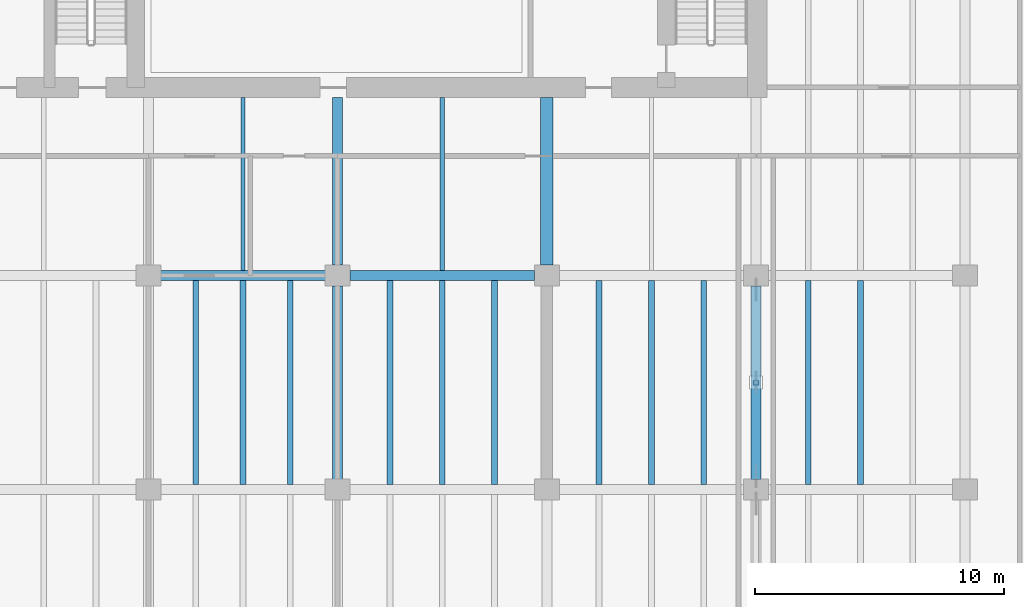
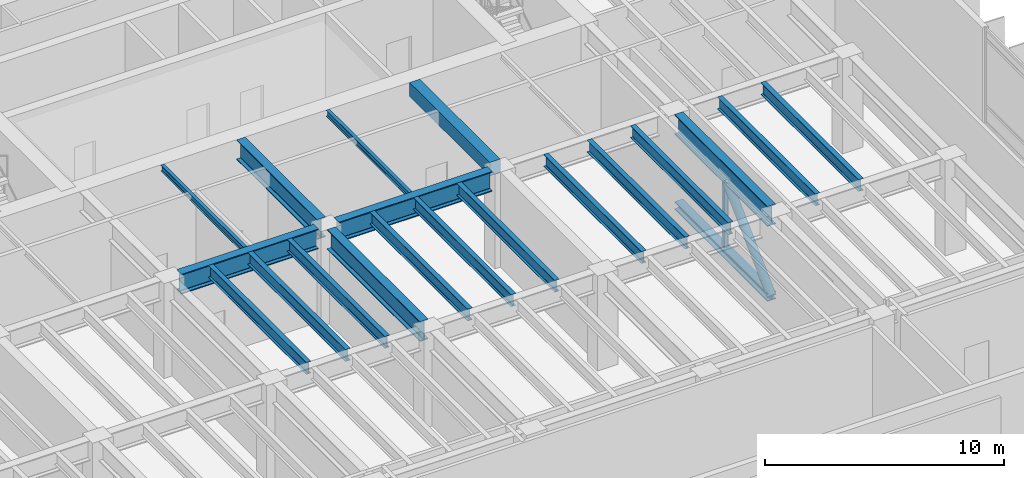
# One storey, part 7 of 18: 20 beams, 2 members.
"""IFC4 building model written with IfcOpenShell, lengths in metres."""

from ifc_helpers import new_model, si_unit, direction, frame, origin, origin_2d, place, context, subcontext, project, spatial, rectangle, hollow_rectangle, hollow_circle, i_section, extrude, material, material_profile, profile_set, type_object, element, save


model = new_model("IFC4")

# Units and contexts
model_context = context("Model", 3, precision=1e-05, world=origin(), true_north=direction((0.0, 1.0)))
body_context = subcontext(model_context, "Body", "Model", "MODEL_VIEW")
ifc_project = project(units=[si_unit("LENGTHUNIT", "METRE"), si_unit("AREAUNIT", "SQUARE_METRE"), si_unit("VOLUMEUNIT", "CUBIC_METRE"), si_unit("PLANEANGLEUNIT", "RADIAN"), si_unit("MASSUNIT", "GRAM", prefix="KILO")], contexts=[model_context])

# Site, building, storey
site_placement = place(None, origin())
site = spatial("IfcSite", under=ifc_project, at=site_placement, CompositionType="ELEMENT")
building_placement = place(site_placement, origin())
building = spatial("IfcBuilding", under=site, at=building_placement, Name="Caelmar Bay Residences", CompositionType="ELEMENT")
storey_placement = place(building_placement, frame((0.0, 0.0, 152.10009765625)))
storey = spatial("IfcBuildingStorey", under=building, at=storey_placement, Name="L42", CompositionType="ELEMENT", Elevation=152.10009765625)

# Beams
ifc_material_1 = material(Name="Steel ASTM A992 Grade 50", Category="steel")
ifc_material_profile_1 = material_profile(ifc_material_1, i_section(OverallWidth=0.40087890625, OverallDepth=0.39892578125, WebThickness=0.02490234375, FlangeThickness=0.03955078125, FilletRadius=0.01513671875, at=origin_2d()), Name="W14X211")
ifc_profile_set_1 = profile_set([ifc_material_profile_1], Name="Steel ASTM A992 Grade 50")
beam_type_1 = type_object("IfcBeamType", Name="BM-CHD-W14X211", PredefinedType="BEAM", material=ifc_profile_set_1)
beam_1_placement = place(storey_placement, frame((59.5, 21.215087890625, 0.199462890625), z_axis=(0.0, 1.0, 0.0), x_axis=(-1.0, 0.0, 0.0)))
element("IfcBeam", 1, at=beam_1_placement, inside=storey, type_object=beam_type_1, Name="L42 Outrigger Bottom Chord 4", PredefinedType="BEAM", context=body_context, shape_type="SweptSolid", body=[
    extrude(i_section(OverallWidth=0.40087890625, OverallDepth=0.39892578125, WebThickness=0.02490234375, FlangeThickness=0.03955078125, FilletRadius=0.01513671875, at=origin_2d()), origin(), (0.0, 0.0, 1.0), 7.77001953125),
])
ifc_material_profile_2 = material_profile(ifc_material_1, i_section(OverallWidth=0.404052734375, OverallDepth=1.02099609375, WebThickness=0.025390625, FlangeThickness=0.0458984375, FilletRadius=0.02294921875, at=origin_2d()), Name="W40X324")
ifc_profile_set_2 = profile_set([ifc_material_profile_2], Name="Steel ASTM A992 Grade 50")
beam_type_2 = type_object("IfcBeamType", Name="BM-GRD-W40X324", PredefinedType="BEAM", material=ifc_profile_set_2)
beam_2_placement = place(storey_placement, frame((35.590087890625, 29.39990234375, 4.33935546875), z_axis=(1.0, 0.0, 0.0), x_axis=(0.0, 1.0, 0.0)))
element("IfcBeam", 2, at=beam_2_placement, inside=storey, type_object=beam_type_2, Name="L42 East-West Girder Y=29.40 (35.1-42.7)", PredefinedType="BEAM", context=body_context, shape_type="SweptSolid", body=[
    extrude(i_section(OverallWidth=0.404052734375, OverallDepth=1.02099609375, WebThickness=0.025390625, FlangeThickness=0.0458984375, FilletRadius=0.02294921875, at=origin_2d()), origin(), (0.0, 0.0, 1.0), 6.619873046875),
])
beam_3_placement = place(storey_placement, frame((43.18994140625, 29.39990234375, 4.33935546875), z_axis=(1.0, 0.0, 0.0), x_axis=(0.0, 1.0, 0.0)))
element("IfcBeam", 3, at=beam_3_placement, inside=storey, type_object=beam_type_2, Name="L42 East-West Girder Y=29.40 (42.7-51.1)", PredefinedType="BEAM", context=body_context, shape_type="SweptSolid", body=[
    extrude(i_section(OverallWidth=0.404052734375, OverallDepth=1.02099609375, WebThickness=0.025390625, FlangeThickness=0.0458984375, FilletRadius=0.02294921875, at=origin_2d()), origin(), (0.0, 0.0, 1.0), 7.420166015625),
])
beam_4_placement = place(storey_placement, frame((42.699951171875, 29.81494140625, 4.33935546875), z_axis=(0.0, 1.0, 0.0), x_axis=(-1.0, 0.0, 0.0)))
element("IfcBeam", 4, at=beam_4_placement, inside=storey, type_object=beam_type_2, Name="L42 Core Tie Girder X=42.70", PredefinedType="BEAM", context=body_context, shape_type="SweptSolid", body=[
    extrude(i_section(OverallWidth=0.404052734375, OverallDepth=1.02099609375, WebThickness=0.025390625, FlangeThickness=0.0458984375, FilletRadius=0.02294921875, at=origin_2d()), origin(), (0.0, 0.0, 1.0), 6.735107421875),
])
for number, where, z_axis, x_axis, name in (
    (5, (42.699951171875, 21.215087890625, 4.33935546875), (0.0, 1.0, 0.0), (-1.0, 0.0, 0.0), "L42 North-South Girder X=42.70 (20.8-29.4)"),
    (6, (59.5, 21.215087890625, 4.33935546875), (0.0, 1.0, 0.0), (-1.0, 0.0, 0.0), "L42 North-South Girder X=59.50 (20.8-29.4)"),
):
    element("IfcBeam", number, at=place(storey_placement, frame(where, z_axis=z_axis, x_axis=x_axis)), inside=storey, type_object=beam_type_2, Name=name, PredefinedType="BEAM", context=body_context, shape_type="SweptSolid", body=[
        extrude(i_section(OverallWidth=0.404052734375, OverallDepth=1.02099609375, WebThickness=0.025390625, FlangeThickness=0.0458984375, FilletRadius=0.02294921875, at=origin_2d()), origin(), (0.0, 0.0, 1.0), 7.77001953125),
    ])
ifc_material_profile_3 = material_profile(ifc_material_1, i_section(OverallWidth=0.1650390625, OverallDepth=0.31005859375, WebThickness=0.005859375, FlangeThickness=0.009765625, FilletRadius=0.007568359375, at=origin_2d()), Name="W12X26")
ifc_profile_set_3 = profile_set([ifc_material_profile_3], Name="Steel ASTM A992 Grade 50")
beam_type_3 = type_object("IfcBeamType", Name="BM-JST-W12X26", PredefinedType="JOIST", material=ifc_profile_set_3)
for number, where, z_axis, x_axis, name in (
    (7, (38.89990234375, 29.60205078125, 4.69482421875), (0.0, 1.0, 0.0), (-1.0, 0.0, 0.0), "L42 Core-Band Composite Joist 45"),
    (8, (46.89990234375, 29.60205078125, 4.69482421875), (0.0, 1.0, 0.0), (-1.0, 0.0, 0.0), "L42 Core-Band Composite Joist 46"),
):
    element("IfcBeam", number, at=place(storey_placement, frame(where, z_axis=z_axis, x_axis=x_axis)), inside=storey, type_object=beam_type_3, Name=name, PredefinedType="JOIST", context=body_context, shape_type="SweptSolid", body=[
        extrude(i_section(OverallWidth=0.1650390625, OverallDepth=0.31005859375, WebThickness=0.005859375, FlangeThickness=0.009765625, FilletRadius=0.007568359375, at=origin_2d()), origin(), (0.0, 0.0, 1.0), 6.947998046875),
    ])
ifc_material_profile_4 = material_profile(ifc_material_1, i_section(OverallWidth=0.22900390625, OverallDepth=0.612060546875, WebThickness=0.011962890625, FlangeThickness=0.01953125, FilletRadius=0.0126953125, at=origin_2d()), Name="W24X84")
ifc_profile_set_4 = profile_set([ifc_material_profile_4], Name="Steel ASTM A992 Grade 50")
beam_type_4 = type_object("IfcBeamType", Name="BM-JST-W24X84", PredefinedType="JOIST", material=ifc_profile_set_4)
for number, where, z_axis, x_axis, name in (
    (9, (37.0, 21.001953125, 4.5439453125), (0.0, 1.0, 0.0), (-1.0, 0.0, 0.0), "L42 Composite Floor Joist 31"),
    (10, (38.89990234375, 21.001953125, 4.5439453125), (0.0, 1.0, 0.0), (-1.0, 0.0, 0.0), "L42 Composite Floor Joist 32"),
    (11, (40.800048828125, 21.001953125, 4.5439453125), (0.0, 1.0, 0.0), (-1.0, 0.0, 0.0), "L42 Composite Floor Joist 33"),
    (12, (44.800048828125, 21.001953125, 4.5439453125), (0.0, 1.0, 0.0), (-1.0, 0.0, 0.0), "L42 Composite Floor Joist 34"),
    (13, (46.89990234375, 21.001953125, 4.5439453125), (0.0, 1.0, 0.0), (-1.0, 0.0, 0.0), "L42 Composite Floor Joist 35"),
    (14, (49.0, 21.001953125, 4.5439453125), (0.0, 1.0, 0.0), (-1.0, 0.0, 0.0), "L42 Composite Floor Joist 36"),
    (15, (53.199951171875, 21.001953125, 4.5439453125), (0.0, 1.0, 0.0), (-1.0, 0.0, 0.0), "L42 Composite Floor Joist 37"),
    (16, (55.300048828125, 21.001953125, 4.5439453125), (0.0, 1.0, 0.0), (-1.0, 0.0, 0.0), "L42 Composite Floor Joist 38"),
    (17, (57.39990234375, 21.001953125, 4.5439453125), (0.0, 1.0, 0.0), (-1.0, 0.0, 0.0), "L42 Composite Floor Joist 39"),
    (18, (61.60009765625, 21.001953125, 4.5439453125), (0.0, 1.0, 0.0), (-1.0, 0.0, 0.0), "L42 Composite Floor Joist 40"),
    (19, (63.699951171875, 21.001953125, 4.5439453125), (0.0, 1.0, 0.0), (-1.0, 0.0, 0.0), "L42 Composite Floor Joist 41"),
):
    element("IfcBeam", number, at=place(storey_placement, frame(where, z_axis=z_axis, x_axis=x_axis)), inside=storey, type_object=beam_type_4, Name=name, PredefinedType="JOIST", context=body_context, shape_type="SweptSolid", body=[
        extrude(i_section(OverallWidth=0.22900390625, OverallDepth=0.612060546875, WebThickness=0.011962890625, FlangeThickness=0.01953125, FilletRadius=0.0126953125, at=origin_2d()), origin(), (0.0, 0.0, 1.0), 8.196044921875),
    ])
ifc_material_2 = material(Name="Concrete f'c 55 MPa (8,000 psi)", Category="concrete")
ifc_material_profile_5 = material_profile(ifc_material_2, rectangle(XDim=0.5, YDim=0.699951171875, at=origin_2d()), Name="RC-BM-500X700")
ifc_profile_set_5 = profile_set([ifc_material_profile_5], Name="Concrete f'c 55 MPa (8,000 psi)")
beam_type_5 = type_object("IfcBeamType", Name="BM-RC-500X700", PredefinedType="LINTEL", material=ifc_profile_set_5)
beam_5_placement = place(storey_placement, frame((51.10009765625, 29.81494140625, 4.5), z_axis=(0.0, 1.0, 0.0), x_axis=(-1.0, 0.0, 0.0)))
element("IfcBeam", 20, at=beam_5_placement, inside=storey, type_object=beam_type_5, Name="L42 Shear-Wall Corridor Coupling Lintel E8", PredefinedType="LINTEL", context=body_context, shape_type="SweptSolid", body=[
    extrude(rectangle(XDim=0.5, YDim=0.699951171875, at=origin_2d()), origin(), (0.0, 0.0, 1.0), 6.735107421875),
])

# Members
ifc_material_3 = material(Name="Steel ASTM A500 Grade C", Category="steel")
ifc_material_profile_6 = material_profile(ifc_material_3, hollow_circle(Radius=0.202880859375, WallThickness=0.020751953125, at=origin_2d()), Name="CHS406X22.2")
ifc_profile_set_6 = profile_set([ifc_material_profile_6], Name="Steel ASTM A500 Grade C")
member_type_1 = type_object("IfcMemberType", Name="MEM-OUT-CHS406", PredefinedType="BRACE", material=ifc_profile_set_6)
member_1_placement = place(storey_placement, frame((59.5, 21.215087890625, 0.219970703125), z_axis=(0.0, 0.720456799152, 0.693499820155), x_axis=(-1.0, 0.0, 0.0)))
element("IfcMember", 21, at=member_1_placement, inside=storey, type_object=member_type_1, Name="L42 Outrigger Diagonal 4A", PredefinedType="BRACE", context=body_context, shape_type="SweptSolid", body=[
    extrude(hollow_circle(Radius=0.202880859375, WallThickness=0.020751953125, at=origin_2d()), origin(), (0.0, 0.0, 1.0), 5.2255859375),
])
ifc_material_profile_7 = material_profile(ifc_material_3, hollow_rectangle(XDim=0.202880859375, YDim=0.202880859375, WallThickness=0.01171875, InnerFilletRadius=0.01171875, OuterFilletRadius=0.023681640625, at=origin_2d()), Name="HSS200X200X12.7")
ifc_profile_set_7 = profile_set([ifc_material_profile_7], Name="Steel ASTM A500 Grade C")
member_type_2 = type_object("IfcMemberType", Name="MEM-PST-HSS200", PredefinedType="POST", material=ifc_profile_set_7)
member_2_placement = place(storey_placement, frame((59.5, 25.10009765625, 0.39892578125), z_axis=(0.0, 0.0, 1.0), x_axis=(1.0, 0.0, 0.0)))
element("IfcMember", 22, at=member_2_placement, inside=storey, type_object=member_type_2, Name="L42 Outrigger Web Post 4", PredefinedType="POST", context=body_context, shape_type="SweptSolid", body=[
    extrude(hollow_rectangle(XDim=0.202880859375, YDim=0.202880859375, WallThickness=0.01171875, InnerFilletRadius=0.01171875, OuterFilletRadius=0.023681640625, at=origin_2d()), origin(), (0.0, 0.0, 1.0), 3.445068359375),
])

save(model, "model.ifc")
